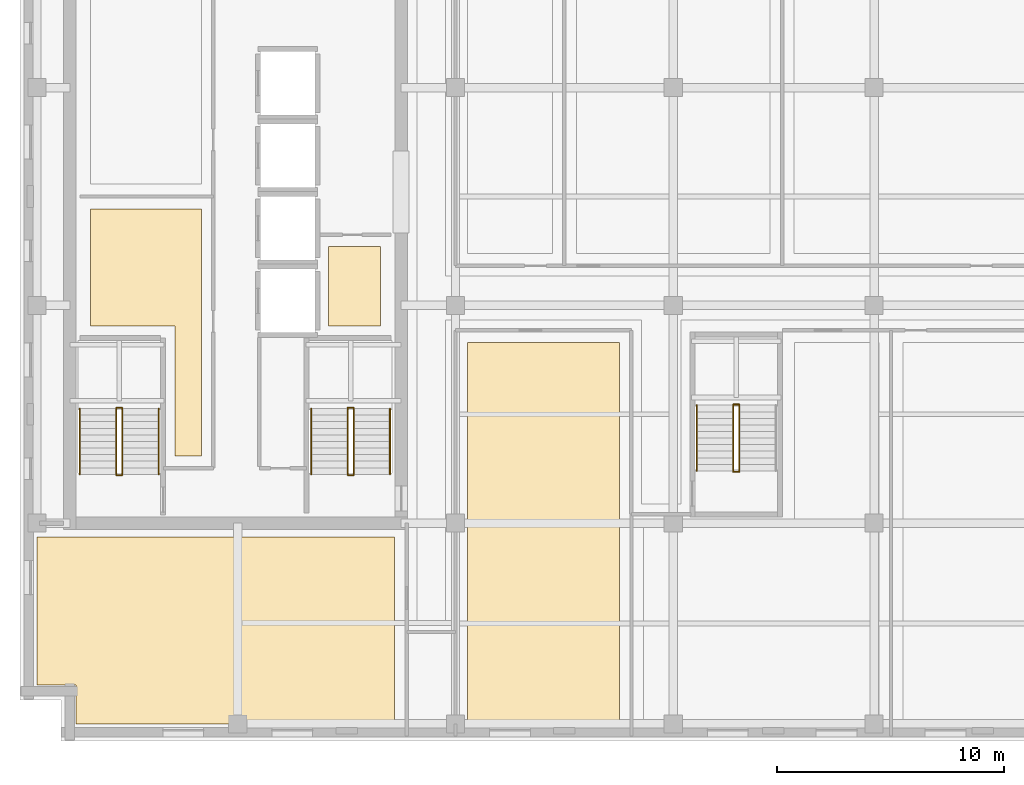
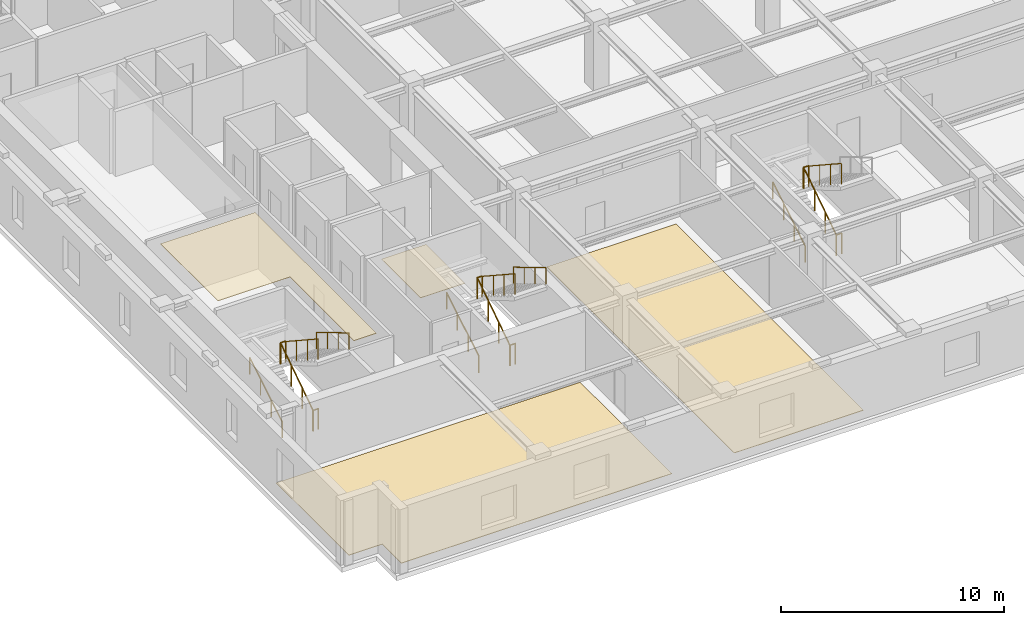
# One storey, part 7 of 10: 17 railings, 4 coverings.
"""IFC4 building model written with IfcOpenShell, lengths in metres."""

import ifcopenshell
import ifcopenshell.guid

model = None  # the IFC model being written
_history = None  # IfcOwnerHistory: only IFC2X3 demands one
_inside = {}  # id of a spatial element -> (the spatial element, [elements in it])
_under = {}  # id of a project, library or spatial element -> (it, [spatial elements below it])
_declared = {}  # id of a project -> (the project, [libraries it declares])
_typed = {}  # id of a type object -> (the type object, [elements of that type])
_made_of = {}  # id of a material, layer set ... -> (it, [elements and type objects made of it])


def new_model(schema):
    """Start an empty IFC model of exactly this schema.

    Asked for "IFC4X3", IfcOpenShell would pick the latest addendum, in which some entities
    have other attributes; the version numbers below select the first issue.
    IFC2X3 requires an IfcOwnerHistory on every rooted entity: one is made here for all.
    """
    global model, _history
    if schema == "IFC4X3":
        model = ifcopenshell.file(schema_version=(4, 3, 0, 0))
    else:
        model = ifcopenshell.file(schema=schema)
    _inside.clear()
    _under.clear()
    _declared.clear()
    _typed.clear()
    _made_of.clear()
    _history = None
    if model.schema == "IFC2X3":
        org = make("IfcOrganization", Name="unknown")
        user = make(
            "IfcPersonAndOrganization",
            ThePerson=make("IfcPerson", FamilyName="unknown"),
            TheOrganization=org,
        )
        app = make(
            "IfcApplication",
            ApplicationDeveloper=org,
            Version="unknown",
            ApplicationFullName="unknown",
            ApplicationIdentifier="unknown",
        )
        _history = make(
            "IfcOwnerHistory",
            OwningUser=user,
            OwningApplication=app,
            ChangeAction="ADDED",
            CreationDate=0,
        )
    return model


def make(cls, **values):
    """One entity of the class cls with the attributes given. An attribute that is None is left unset."""
    return model.create_entity(
        cls, **{name: value for name, value in values.items() if value is not None}
    )


def rooted(cls, **values):
    """An entity with a GlobalId (a new one), such as an element, a storey or a relation."""
    return make(cls, GlobalId=ifcopenshell.guid.new(), OwnerHistory=_history, **values)


def si_unit(unit_type, name, prefix=None):
    """IfcSIUnit, for example si_unit("LENGTHUNIT", "METRE", prefix="MILLI")."""
    return make("IfcSIUnit", UnitType=unit_type, Prefix=prefix, Name=name)


def assignment(units):
    """IfcUnitAssignment: the units of a project."""
    return None if units is None else make("IfcUnitAssignment", Units=units)


def point(xyz):
    """IfcCartesianPoint."""
    return None if xyz is None else make("IfcCartesianPoint", Coordinates=xyz)


def direction(xyz):
    """IfcDirection."""
    return None if xyz is None else make("IfcDirection", DirectionRatios=xyz)


def frame(location, z_axis=None, x_axis=None):
    """IfcAxis2Placement3D, a coordinate frame: its origin and axes. An axis left out is left unset."""
    return make(
        "IfcAxis2Placement3D",
        Location=point(location),
        Axis=direction(z_axis),
        RefDirection=direction(x_axis),
    )


def frame_2d(location, x_axis=None):
    """IfcAxis2Placement2D, a coordinate frame in the plane: its origin and x axis."""
    return make(
        "IfcAxis2Placement2D", Location=point(location), RefDirection=direction(x_axis)
    )


def origin():
    """The frame at (0, 0, 0) with its axes left unset."""
    return frame((0.0, 0.0, 0.0))


def origin_2d():
    """The frame at (0, 0) in the plane with its x axis left unset."""
    return frame_2d((0.0, 0.0))


def place(relative_to, where):
    """IfcLocalPlacement: puts the frame where relative to a parent placement (None: the world)."""
    return make(
        "IfcLocalPlacement", PlacementRelTo=relative_to, RelativePlacement=where
    )


def context(
    kind, dimensions, precision=None, world=None, true_north=None, identifier=None
):
    """IfcGeometricRepresentationContext, for example the 3D "Model" context."""
    return make(
        "IfcGeometricRepresentationContext",
        ContextIdentifier=identifier,
        ContextType=kind,
        CoordinateSpaceDimension=dimensions,
        Precision=precision,
        WorldCoordinateSystem=world,
        TrueNorth=true_north,
    )


def subcontext(parent, identifier, kind, view, scale=None):
    """IfcGeometricRepresentationSubContext, for example "Body" below "Model"."""
    return make(
        "IfcGeometricRepresentationSubContext",
        ContextIdentifier=identifier,
        ContextType=kind,
        ParentContext=parent,
        TargetScale=scale,
        TargetView=view,
    )


def project(units=None, contexts=None):
    """IfcProject with its units and contexts."""
    return rooted(
        "IfcProject",
        Name="project",
        RepresentationContexts=contexts,
        UnitsInContext=assignment(units),
    )


def spatial(cls, under=None, at=None, **own):
    """A site, building, storey or space (cls), placed at a placement, below another one or the project."""
    s = rooted(cls, ObjectPlacement=at, **own)
    if under is not None:
        _under.setdefault(under.id(), (under, []))[1].append(s)
    return s


def polyline(points):
    """IfcPolyline through the points."""
    return make("IfcPolyline", Points=[point(p) for p in points])


def profile(cls, at=None, kind="AREA", **sizes):
    """A parametric profile (cls). Its sizes go by their IFC names, for example OverallWidth=200.0."""
    return make(cls, ProfileType=kind, Position=at, **sizes)


def circle(**sizes):
    """IfcCircleProfileDef."""
    return profile("IfcCircleProfileDef", **sizes)


def outline(outer, holes=None, kind="AREA"):
    """IfcArbitraryClosedProfileDef: a profile drawn as a closed curve; with holes, ...WithVoids."""
    if holes is None:
        return make("IfcArbitraryClosedProfileDef", ProfileType=kind, OuterCurve=outer)
    return make(
        "IfcArbitraryProfileDefWithVoids",
        ProfileType=kind,
        OuterCurve=outer,
        InnerCurves=holes,
    )


def extrude(swept, where, along, depth):
    """IfcExtrudedAreaSolid: the profile swept, set in the frame where, extruded along a direction by depth."""
    return make(
        "IfcExtrudedAreaSolid",
        SweptArea=swept,
        Position=where,
        ExtrudedDirection=direction(along),
        Depth=depth,
    )


def shape(context_of_items, identifier, shape_type, items):
    """IfcShapeRepresentation: the items that make up one representation, for example the "Body"."""
    return make(
        "IfcShapeRepresentation",
        ContextOfItems=context_of_items,
        RepresentationIdentifier=identifier,
        RepresentationType=shape_type,
        Items=items,
    )


def material(Name=None, Category=None):
    """IfcMaterial."""
    return make("IfcMaterial", Name=Name, Category=Category)


def layer(
    of_material, thickness, ventilated=None, Name=None, Category=None, Priority=None
):
    """IfcMaterialLayer: one layer of a wall or slab, of a material (None: an air gap)."""
    return make(
        "IfcMaterialLayer",
        Material=of_material,
        LayerThickness=thickness,
        IsVentilated=ventilated,
        Name=Name,
        Category=Category,
        Priority=Priority,
    )


def layer_set(layers, Name=None):
    """IfcMaterialLayerSet."""
    return make("IfcMaterialLayerSet", MaterialLayers=layers, LayerSetName=Name)


def made_of(thing, what):
    """Note that an element or type object is made of a material, layer set ...; save() writes the relation."""
    if what is not None:
        _made_of.setdefault(what.id(), (what, []))[1].append(thing)
    return thing


def type_object(cls, material=None, **own):
    """A type object (cls), such as IfcWallType, which elements share."""
    return made_of(rooted(cls, **own), material)


def element(
    cls,
    number,
    at=None,
    inside=None,
    cuts=None,
    type_object=None,
    material=None,
    context=None,
    identifier="Body",
    shape_type=None,
    held_by="IfcProductDefinitionShape",
    body=None,
    shapes=None,
    **own,
):
    """One element of the class cls, such as IfcWall. Its Tag is "e" and its number.

    at: its placement. inside: the storey or other place that contains it. cuts: it is an
    opening in that element (IfcRelVoidsElement). A single representation is given by context,
    identifier, shape_type and body (its items); several are given by shapes. held_by: the class
    of the entity that holds the representations. save() writes the other relations.
    """
    e = rooted(cls, Tag="e%d" % number, ObjectPlacement=at, **own)
    if body is not None:
        shapes = [shape(context, identifier, shape_type, body)]
    if shapes is not None:
        e.Representation = make(held_by, Representations=shapes)
    if inside is not None:
        _inside.setdefault(inside.id(), (inside, []))[1].append(e)
    if cuts is not None:
        rooted(
            "IfcRelVoidsElement", RelatingBuildingElement=cuts, RelatedOpeningElement=e
        )
    if type_object is not None:
        _typed.setdefault(type_object.id(), (type_object, []))[1].append(e)
    return made_of(e, material)


def aggregate(whole, parts):
    """IfcRelAggregates: a whole, such as a stair, and the parts it consists of."""
    return rooted("IfcRelAggregates", RelatingObject=whole, RelatedObjects=parts)


def save(model, path):
    """Write the relations noted so far, then the file.

    IfcRelAggregates (storeys below a building ...), IfcRelContainedInSpatialStructure (elements
    in a storey), IfcRelDefinesByType, IfcRelAssociatesMaterial and IfcRelDeclares: one each for
    every whole, place, type object, material and project.
    """
    for whole, parts in _under.values():
        aggregate(whole, parts)
    for where, things in _inside.values():
        rooted(
            "IfcRelContainedInSpatialStructure",
            RelatedElements=things,
            RelatingStructure=where,
        )
    for kind, things in _typed.values():
        rooted("IfcRelDefinesByType", RelatedObjects=things, RelatingType=kind)
    for what, things in _made_of.values():
        rooted("IfcRelAssociatesMaterial", RelatedObjects=things, RelatingMaterial=what)
    for by, libraries in _declared.values():
        rooted("IfcRelDeclares", RelatingContext=by, RelatedDefinitions=libraries)
    model.write(path)


model = new_model("IFC4")

# Units and contexts
model_context = context("Model", 3, precision=1e-05, world=origin(), true_north=direction((0.0, 1.0)))
body_context = subcontext(model_context, "Body", "Model", "MODEL_VIEW")
ifc_project = project(units=[si_unit("LENGTHUNIT", "METRE"), si_unit("AREAUNIT", "SQUARE_METRE"), si_unit("VOLUMEUNIT", "CUBIC_METRE"), si_unit("PLANEANGLEUNIT", "RADIAN"), si_unit("MASSUNIT", "GRAM", prefix="KILO")], contexts=[model_context])

# Site, building, storey
site_placement = place(None, origin())
site = spatial("IfcSite", under=ifc_project, at=site_placement, CompositionType="ELEMENT")
building_placement = place(site_placement, origin())
building = spatial("IfcBuilding", under=site, at=building_placement, Name="Norrvale University Quadrangle", CompositionType="ELEMENT")
storey_placement = place(building_placement, frame((0.0, 0.0, 233.199951171875)))
storey = spatial("IfcBuildingStorey", under=building, at=storey_placement, Name="L59", CompositionType="ELEMENT", Elevation=233.199951171875)

# Coverings
ifc_material_1 = material(Name="Perforated Acoustic Mineral Ceiling")
ifc_layer_1 = layer(ifc_material_1, 0.02490234375, Name="Perforated Acoustic Mineral Ceiling")
ifc_layer_set_1 = layer_set([ifc_layer_1], Name="Perforated Acoustic Mineral Ceiling")
covering_type_1 = type_object("IfcCoveringType", Name="Covering Acoustic Ceiling 25", PredefinedType="CEILING", material=ifc_layer_set_1)
covering_1_placement = place(storey_placement, frame((0.0, 0.0, 3.51513671875)))
element("IfcCovering", 1, at=covering_1_placement, inside=storey, type_object=covering_type_1, Name="Acoustic Ceiling RM-L59-REC1", PredefinedType="CEILING", context=body_context, shape_type="SweptSolid", body=[
    extrude(outline(polyline([(3.10009765625, 18.300048828125), (3.10009765625, 23.449951171875), (8.0, 23.449951171875), (8.0, 12.550048828125), (6.830078125, 12.550048828125), (6.830078125, 18.300048828125), (3.10009765625, 18.300048828125)])), origin(), (0.0, 0.0, 1.0), 0.02490234375),
])
ifc_material_2 = material(Name="Polished Terrazzo Flooring")
ifc_layer_2 = layer(ifc_material_2, 0.02490234375, Name="Polished Terrazzo Flooring")
ifc_layer_set_2 = layer_set([ifc_layer_2], Name="Polished Terrazzo Flooring")
covering_type_2 = type_object("IfcCoveringType", Name="Covering Terrazzo Floor 30", PredefinedType="FLOORING", material=ifc_layer_set_2)
covering_2_placement = place(storey_placement, origin())
element("IfcCovering", 2, at=covering_2_placement, inside=storey, type_object=covering_type_2, Name="Terrazzo Flooring RM-L59-JAN", PredefinedType="FLOORING", context=body_context, shape_type="SweptSolid", body=[
    extrude(outline(polyline([(13.60009765625, 18.300048828125), (13.60009765625, 21.800048828125), (15.89990234375, 21.800048828125), (15.89990234375, 18.300048828125), (13.60009765625, 18.300048828125)])), origin(), (0.0, 0.0, 1.0), 0.025146484375),
])
covering_3_placement = place(storey_placement, origin())
element("IfcCovering", 3, at=covering_3_placement, inside=storey, type_object=covering_type_2, Name="Terrazzo Flooring RM-L59-SW1", PredefinedType="FLOORING", context=body_context, shape_type="SweptSolid", body=[
    extrude(outline(polyline([(0.75, 9.0), (16.5, 9.0), (16.5, 0.75), (2.469970703125, 0.75), (2.469970703125, 2.469970703125), (0.75, 2.469970703125), (0.75, 9.0)])), origin(), (0.0, 0.0, 1.0), 0.025146484375),
])
covering_4_placement = place(storey_placement, origin())
element("IfcCovering", 4, at=covering_4_placement, inside=storey, type_object=covering_type_2, Name="Terrazzo Flooring RM-L59-SE1", PredefinedType="FLOORING", context=body_context, shape_type="SweptSolid", body=[
    extrude(outline(polyline([(19.72998046875, 17.570068359375), (26.419921875, 17.570068359375), (26.419921875, 0.75), (19.72998046875, 0.75), (19.72998046875, 17.570068359375)])), origin(), (0.0, 0.0, 1.0), 0.025146484375),
])

# Railings
ifc_material_3 = material(Name="Steel 350W Painted Balustrade", Category="steel")
railing_type_1 = type_object("IfcRailingType", Name="Railing Stair Guard 1100", PredefinedType="GUARDRAIL", material=ifc_material_3)
for number, where, name in (
    (5, (4.239990234375, 11.719970703125, 0.0), "Stair Floor Well Guard ST-01 L59"),
    (6, (4.239990234375, 14.679931640625, 1.900146484375), "Stair Mid-Landing Slot Guard ST-01 L59"),
):
    element("IfcRailing", number, at=place(storey_placement, frame(where)), inside=storey, type_object=railing_type_1, Name=name, PredefinedType="GUARDRAIL", context=body_context, shape_type="SweptSolid", body=[
        extrude(circle(Radius=0.02392578125, at=origin_2d()), frame((0.0, 0.0, 1.1259765625), z_axis=(1.0, 0.0, 0.0), x_axis=(0.0, 1.0, 0.0)), (0.0, 0.0, 1.0), 0.27001953125),
        extrude(circle(Radius=0.02099609375, at=origin_2d()), origin(), (0.0, 0.0, 1.0), 1.101806640625),
        extrude(circle(Radius=0.02099609375, at=origin_2d()), frame((0.27001953125, 0.0, 0.0)), (0.0, 0.0, 1.0), 1.101806640625),
    ])
railing_1_placement = place(storey_placement, frame((4.239990234375, 11.75, 0.0)))
element("IfcRailing", 7, at=railing_1_placement, inside=storey, type_object=railing_type_1, Name="Stair Lower Flight Inner Guard ST-01 L59", PredefinedType="GUARDRAIL", context=body_context, shape_type="SweptSolid", body=[
    extrude(circle(Radius=0.02392578125, at=origin_2d()), frame((0.0, 0.0, 1.1259765625), z_axis=(0.0, 0.836433300813, 0.548068730445), x_axis=(-1.0, 0.0, 0.0)), (0.0, 0.0, 1.0), 3.467041015625),
    extrude(circle(Radius=0.02099609375, at=origin_2d()), origin(), (0.0, 0.0, 1.0), 1.101806640625),
    extrude(circle(Radius=0.02099609375, at=origin_2d()), frame((0.0, 0.966552734375, 0.63330078125)), (0.0, 0.0, 1.0), 1.101806640625),
    extrude(circle(Radius=0.02099609375, at=origin_2d()), frame((0.0, 1.933349609375, 1.266845703125)), (0.0, 0.0, 1.0), 1.101806640625),
    extrude(circle(Radius=0.02099609375, at=origin_2d()), frame((0.0, 2.89990234375, 1.900146484375)), (0.0, 0.0, 1.0), 1.101806640625),
])
railing_2_placement = place(storey_placement, frame((4.510009765625, 14.64990234375, 1.900146484375)))
element("IfcRailing", 8, at=railing_2_placement, inside=storey, type_object=railing_type_1, Name="Stair Upper Flight Inner Guard ST-01 L59", PredefinedType="GUARDRAIL", context=body_context, shape_type="SweptSolid", body=[
    extrude(circle(Radius=0.02392578125, at=origin_2d()), frame((0.0, 0.0, 1.1259765625), z_axis=(0.0, -0.836465582154, 0.548019461216), x_axis=(1.0, 0.0, 0.0)), (0.0, 0.0, 1.0), 3.466796875),
    extrude(circle(Radius=0.02099609375, at=origin_2d()), origin(), (0.0, 0.0, 1.0), 1.101806640625),
    extrude(circle(Radius=0.02099609375, at=origin_2d()), frame((0.0, -0.966552734375, 0.63330078125)), (0.0, 0.0, 1.0), 1.101806640625),
    extrude(circle(Radius=0.02099609375, at=origin_2d()), frame((0.0, -1.933349609375, 1.2666015625)), (0.0, 0.0, 1.0), 1.101806640625),
    extrude(circle(Radius=0.02099609375, at=origin_2d()), frame((0.0, -2.89990234375, 1.89990234375)), (0.0, 0.0, 1.0), 1.101806640625),
])
for number, where, name in (
    (9, (14.43994140625, 11.719970703125, 0.0), "Stair Floor Well Guard ST-03 L59"),
    (10, (14.43994140625, 14.679931640625, 1.900146484375), "Stair Mid-Landing Slot Guard ST-03 L59"),
):
    element("IfcRailing", number, at=place(storey_placement, frame(where)), inside=storey, type_object=railing_type_1, Name=name, PredefinedType="GUARDRAIL", context=body_context, shape_type="SweptSolid", body=[
        extrude(circle(Radius=0.02392578125, at=origin_2d()), frame((0.0, 0.0, 1.1259765625), z_axis=(1.0, 0.0, 0.0), x_axis=(0.0, 1.0, 0.0)), (0.0, 0.0, 1.0), 0.27001953125),
        extrude(circle(Radius=0.02099609375, at=origin_2d()), origin(), (0.0, 0.0, 1.0), 1.101806640625),
        extrude(circle(Radius=0.02099609375, at=origin_2d()), frame((0.27001953125, 0.0, 0.0)), (0.0, 0.0, 1.0), 1.101806640625),
    ])
railing_3_placement = place(storey_placement, frame((14.43994140625, 11.75, 0.0)))
element("IfcRailing", 11, at=railing_3_placement, inside=storey, type_object=railing_type_1, Name="Stair Lower Flight Inner Guard ST-03 L59", PredefinedType="GUARDRAIL", context=body_context, shape_type="SweptSolid", body=[
    extrude(circle(Radius=0.02392578125, at=origin_2d()), frame((0.0, 0.0, 1.1259765625), z_axis=(0.0, 0.836433300813, 0.548068730445), x_axis=(-1.0, 0.0, 0.0)), (0.0, 0.0, 1.0), 3.467041015625),
    extrude(circle(Radius=0.02099609375, at=origin_2d()), origin(), (0.0, 0.0, 1.0), 1.101806640625),
    extrude(circle(Radius=0.02099609375, at=origin_2d()), frame((0.0, 0.966552734375, 0.63330078125)), (0.0, 0.0, 1.0), 1.101806640625),
    extrude(circle(Radius=0.02099609375, at=origin_2d()), frame((0.0, 1.933349609375, 1.266845703125)), (0.0, 0.0, 1.0), 1.101806640625),
    extrude(circle(Radius=0.02099609375, at=origin_2d()), frame((0.0, 2.89990234375, 1.900146484375)), (0.0, 0.0, 1.0), 1.101806640625),
])
railing_4_placement = place(storey_placement, frame((14.7099609375, 14.64990234375, 1.900146484375)))
element("IfcRailing", 12, at=railing_4_placement, inside=storey, type_object=railing_type_1, Name="Stair Upper Flight Inner Guard ST-03 L59", PredefinedType="GUARDRAIL", context=body_context, shape_type="SweptSolid", body=[
    extrude(circle(Radius=0.02392578125, at=origin_2d()), frame((0.0, 0.0, 1.1259765625), z_axis=(0.0, -0.836465582154, 0.548019461216), x_axis=(1.0, 0.0, 0.0)), (0.0, 0.0, 1.0), 3.466796875),
    extrude(circle(Radius=0.02099609375, at=origin_2d()), origin(), (0.0, 0.0, 1.0), 1.101806640625),
    extrude(circle(Radius=0.02099609375, at=origin_2d()), frame((0.0, -0.966552734375, 0.63330078125)), (0.0, 0.0, 1.0), 1.101806640625),
    extrude(circle(Radius=0.02099609375, at=origin_2d()), frame((0.0, -1.933349609375, 1.2666015625)), (0.0, 0.0, 1.0), 1.101806640625),
    extrude(circle(Radius=0.02099609375, at=origin_2d()), frame((0.0, -2.89990234375, 1.89990234375)), (0.0, 0.0, 1.0), 1.101806640625),
])
for number, where, name in (
    (13, (31.43994140625, 11.8701171875, 0.0), "Stair Floor Well Guard ST-04 L59"),
    (14, (31.43994140625, 14.830078125, 1.900146484375), "Stair Mid-Landing Slot Guard ST-04 L59"),
):
    element("IfcRailing", number, at=place(storey_placement, frame(where)), inside=storey, type_object=railing_type_1, Name=name, PredefinedType="GUARDRAIL", context=body_context, shape_type="SweptSolid", body=[
        extrude(circle(Radius=0.02392578125, at=origin_2d()), frame((0.0, 0.0, 1.1259765625), z_axis=(1.0, 0.0, 0.0), x_axis=(0.0, 1.0, 0.0)), (0.0, 0.0, 1.0), 0.27001953125),
        extrude(circle(Radius=0.02099609375, at=origin_2d()), origin(), (0.0, 0.0, 1.0), 1.101806640625),
        extrude(circle(Radius=0.02099609375, at=origin_2d()), frame((0.27001953125, 0.0, 0.0)), (0.0, 0.0, 1.0), 1.101806640625),
    ])
railing_5_placement = place(storey_placement, frame((31.43994140625, 11.89990234375, 0.0)))
element("IfcRailing", 15, at=railing_5_placement, inside=storey, type_object=railing_type_1, Name="Stair Lower Flight Inner Guard ST-04 L59", PredefinedType="GUARDRAIL", context=body_context, shape_type="SweptSolid", body=[
    extrude(circle(Radius=0.02392578125, at=origin_2d()), frame((0.0, 0.0, 1.1259765625), z_axis=(0.0, 0.836454451266, 0.548036450392), x_axis=(-1.0, 0.0, 0.0)), (0.0, 0.0, 1.0), 3.46728515625),
    extrude(circle(Radius=0.02099609375, at=origin_2d()), origin(), (0.0, 0.0, 1.0), 1.101806640625),
    extrude(circle(Radius=0.02099609375, at=origin_2d()), frame((0.0, 0.966796875, 0.63330078125)), (0.0, 0.0, 1.0), 1.101806640625),
    extrude(circle(Radius=0.02099609375, at=origin_2d()), frame((0.0, 1.933349609375, 1.266845703125)), (0.0, 0.0, 1.0), 1.101806640625),
    extrude(circle(Radius=0.02099609375, at=origin_2d()), frame((0.0, 2.900146484375, 1.900146484375)), (0.0, 0.0, 1.0), 1.101806640625),
])
railing_6_placement = place(storey_placement, frame((31.7099609375, 14.800048828125, 1.900146484375)))
element("IfcRailing", 16, at=railing_6_placement, inside=storey, type_object=railing_type_1, Name="Stair Upper Flight Inner Guard ST-04 L59", PredefinedType="GUARDRAIL", context=body_context, shape_type="SweptSolid", body=[
    extrude(circle(Radius=0.02392578125, at=origin_2d()), frame((0.0, 0.0, 1.1259765625), z_axis=(0.0, -0.836486729621, 0.547987181573), x_axis=(1.0, 0.0, 0.0)), (0.0, 0.0, 1.0), 3.467041015625),
    extrude(circle(Radius=0.02099609375, at=origin_2d()), origin(), (0.0, 0.0, 1.0), 1.101806640625),
    extrude(circle(Radius=0.02099609375, at=origin_2d()), frame((0.0, -0.966796875, 0.63330078125)), (0.0, 0.0, 1.0), 1.101806640625),
    extrude(circle(Radius=0.02099609375, at=origin_2d()), frame((0.0, -1.933349609375, 1.2666015625)), (0.0, 0.0, 1.0), 1.101806640625),
    extrude(circle(Radius=0.02099609375, at=origin_2d()), frame((0.0, -2.900146484375, 1.89990234375)), (0.0, 0.0, 1.0), 1.101806640625),
])
ifc_material_4 = material(Name="Stainless Steel 316L Handrail", Category="steel")
railing_type_2 = type_object("IfcRailingType", Name="Railing Stair Handrail 920", PredefinedType="HANDRAIL", material=ifc_material_4)
railing_7_placement = place(storey_placement, frame((2.639892578125, 11.75, 0.1728515625)))
element("IfcRailing", 17, at=railing_7_placement, inside=storey, type_object=railing_type_2, Name="Stair Lower Flight Handrail ST-01 L59", PredefinedType="HANDRAIL", context=body_context, shape_type="SweptSolid", body=[
    extrude(circle(Radius=0.02392578125, at=origin_2d()), frame((0.0, 0.0, 0.89599609375), z_axis=(0.0, 0.859141464434, 0.511738159696), x_axis=(-1.0, 0.0, 0.0)), (0.0, 0.0, 1.0), 3.375244140625),
    extrude(circle(Radius=0.02099609375, at=origin_2d()), origin(), (0.0, 0.0, 1.0), 0.871826171875),
    extrude(circle(Radius=0.02099609375, at=origin_2d()), frame((0.0, 0.966552734375, 0.57568359375)), (0.0, 0.0, 1.0), 0.871826171875),
    extrude(circle(Radius=0.02099609375, at=origin_2d()), frame((0.0, 1.933349609375, 1.151611328125)), (0.0, 0.0, 1.0), 0.871826171875),
    extrude(circle(Radius=0.02099609375, at=origin_2d()), frame((0.0, 2.89990234375, 1.727294921875)), (0.0, 0.0, 1.0), 0.871826171875),
])
railing_8_placement = place(storey_placement, frame((6.110107421875, 14.64990234375, 2.07275390625)))
element("IfcRailing", 18, at=railing_8_placement, inside=storey, type_object=railing_type_2, Name="Stair Upper Flight Handrail ST-01 L59", PredefinedType="HANDRAIL", context=body_context, shape_type="SweptSolid", body=[
    extrude(circle(Radius=0.02392578125, at=origin_2d()), frame((0.0, 0.0, 0.89599609375), z_axis=(0.0, -0.859141464434, 0.511738159696), x_axis=(1.0, 0.0, 0.0)), (0.0, 0.0, 1.0), 3.375244140625),
    extrude(circle(Radius=0.02099609375, at=origin_2d()), origin(), (0.0, 0.0, 1.0), 0.871826171875),
    extrude(circle(Radius=0.02099609375, at=origin_2d()), frame((0.0, -0.966552734375, 0.57568359375)), (0.0, 0.0, 1.0), 0.871826171875),
    extrude(circle(Radius=0.02099609375, at=origin_2d()), frame((0.0, -1.933349609375, 1.151611328125)), (0.0, 0.0, 1.0), 0.871826171875),
    extrude(circle(Radius=0.02099609375, at=origin_2d()), frame((0.0, -2.89990234375, 1.727294921875)), (0.0, 0.0, 1.0), 0.871826171875),
])
railing_9_placement = place(storey_placement, frame((12.840087890625, 11.75, 0.1728515625)))
element("IfcRailing", 19, at=railing_9_placement, inside=storey, type_object=railing_type_2, Name="Stair Lower Flight Handrail ST-03 L59", PredefinedType="HANDRAIL", context=body_context, shape_type="SweptSolid", body=[
    extrude(circle(Radius=0.02392578125, at=origin_2d()), frame((0.0, 0.0, 0.89599609375), z_axis=(0.0, 0.859141464434, 0.511738159696), x_axis=(-1.0, 0.0, 0.0)), (0.0, 0.0, 1.0), 3.375244140625),
    extrude(circle(Radius=0.02099609375, at=origin_2d()), origin(), (0.0, 0.0, 1.0), 0.871826171875),
    extrude(circle(Radius=0.02099609375, at=origin_2d()), frame((0.0, 0.966552734375, 0.57568359375)), (0.0, 0.0, 1.0), 0.871826171875),
    extrude(circle(Radius=0.02099609375, at=origin_2d()), frame((0.0, 1.933349609375, 1.151611328125)), (0.0, 0.0, 1.0), 0.871826171875),
    extrude(circle(Radius=0.02099609375, at=origin_2d()), frame((0.0, 2.89990234375, 1.727294921875)), (0.0, 0.0, 1.0), 0.871826171875),
])
railing_10_placement = place(storey_placement, frame((16.31005859375, 14.64990234375, 2.07275390625)))
element("IfcRailing", 20, at=railing_10_placement, inside=storey, type_object=railing_type_2, Name="Stair Upper Flight Handrail ST-03 L59", PredefinedType="HANDRAIL", context=body_context, shape_type="SweptSolid", body=[
    extrude(circle(Radius=0.02392578125, at=origin_2d()), frame((0.0, 0.0, 0.89599609375), z_axis=(0.0, -0.859141464434, 0.511738159696), x_axis=(1.0, 0.0, 0.0)), (0.0, 0.0, 1.0), 3.375244140625),
    extrude(circle(Radius=0.02099609375, at=origin_2d()), origin(), (0.0, 0.0, 1.0), 0.871826171875),
    extrude(circle(Radius=0.02099609375, at=origin_2d()), frame((0.0, -0.966552734375, 0.57568359375)), (0.0, 0.0, 1.0), 0.871826171875),
    extrude(circle(Radius=0.02099609375, at=origin_2d()), frame((0.0, -1.933349609375, 1.151611328125)), (0.0, 0.0, 1.0), 0.871826171875),
    extrude(circle(Radius=0.02099609375, at=origin_2d()), frame((0.0, -2.89990234375, 1.727294921875)), (0.0, 0.0, 1.0), 0.871826171875),
])
railing_11_placement = place(storey_placement, frame((29.840087890625, 11.89990234375, 0.1728515625)))
element("IfcRailing", 21, at=railing_11_placement, inside=storey, type_object=railing_type_2, Name="Stair Lower Flight Handrail ST-04 L59", PredefinedType="HANDRAIL", context=body_context, shape_type="SweptSolid", body=[
    extrude(circle(Radius=0.02392578125, at=origin_2d()), frame((0.0, 0.0, 0.89599609375), z_axis=(0.0, 0.859160404282, 0.51170636083), x_axis=(-1.0, 0.0, 0.0)), (0.0, 0.0, 1.0), 3.37548828125),
    extrude(circle(Radius=0.02099609375, at=origin_2d()), origin(), (0.0, 0.0, 1.0), 0.871826171875),
    extrude(circle(Radius=0.02099609375, at=origin_2d()), frame((0.0, 0.966796875, 0.57568359375)), (0.0, 0.0, 1.0), 0.871826171875),
    extrude(circle(Radius=0.02099609375, at=origin_2d()), frame((0.0, 1.933349609375, 1.151611328125)), (0.0, 0.0, 1.0), 0.871826171875),
    extrude(circle(Radius=0.02099609375, at=origin_2d()), frame((0.0, 2.900146484375, 1.727294921875)), (0.0, 0.0, 1.0), 0.871826171875),
])

save(model, "model.ifc")
